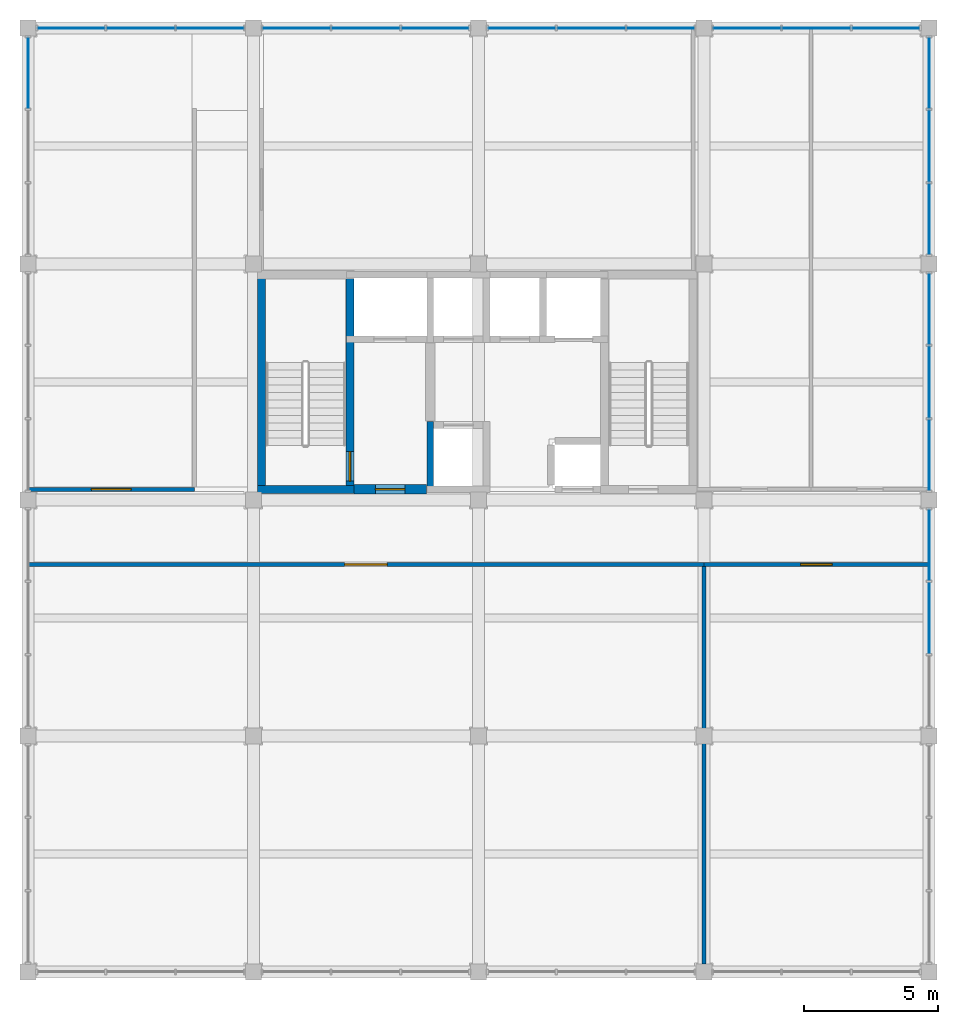
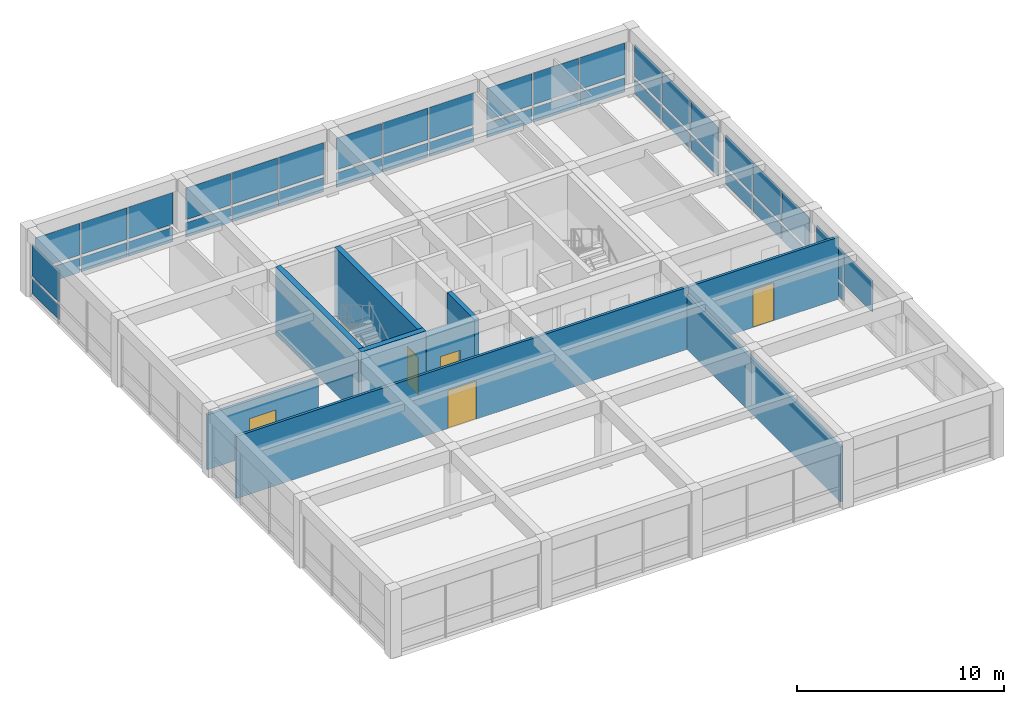
# One storey, part 9 of 14: 41 plates, 9 walls, 5 doors, 5 openings, 8 elements without a shape of their own.
"""IFC4 building model written with IfcOpenShell, lengths in metres."""

from ifc_helpers import new_model, si_unit, direction, frame, frame_2d, origin, origin_2d, place, context, subcontext, project, spatial, rectangle, extrude, material, layer, layer_set, type_object, element, fill, aggregate, save


model = new_model("IFC4")

# Units and contexts
model_context = context("Model", 3, precision=1e-05, world=origin(), true_north=direction((0.0, 1.0)))
body_context = subcontext(model_context, "Body", "Model", "MODEL_VIEW")
ifc_project = project(units=[si_unit("LENGTHUNIT", "METRE"), si_unit("AREAUNIT", "SQUARE_METRE"), si_unit("VOLUMEUNIT", "CUBIC_METRE"), si_unit("PLANEANGLEUNIT", "RADIAN"), si_unit("MASSUNIT", "GRAM", prefix="KILO")], contexts=[model_context])

# Site, building, storey
site_placement = place(None, origin())
site = spatial("IfcSite", under=ifc_project, at=site_placement, CompositionType="ELEMENT")
building_placement = place(site_placement, origin())
building = spatial("IfcBuilding", under=site, at=building_placement, Name="Kemercrest Conservatory and Botanical Centre", CompositionType="ELEMENT")
storey_placement = place(building_placement, frame((0.0, 0.0, 59.800048828125)))
storey = spatial("IfcBuildingStorey", under=building, at=storey_placement, Name="L15", CompositionType="ELEMENT", Elevation=59.800048828125)

# Curtain wall, plates
ifc_material_1 = material(Name="Thermally broken aluminium and triple low-e glazing", Category="aluminium")
curtain_wall_type_1 = type_object("IfcCurtainWallType", Name="CW-01", PredefinedType="USERDEFINED", material=ifc_material_1)
curtain_wall_1_placement = place(storey_placement, origin())
curtain_wall_1 = element("IfcCurtainWall", 1, at=curtain_wall_1_placement, inside=storey, type_object=curtain_wall_type_1, Name="Unitised curtain wall CW-01 (CW:L15:V4-150)", ObjectType="UNITISED CURTAIN WALL", PredefinedType="USERDEFINED")
ifc_material_2 = material(Name="Triple low-e argon insulated glazing unit", Category="glass")
ifc_layer_1 = layer(ifc_material_2, 0.035888671875)
ifc_layer_set_1 = layer_set([ifc_layer_1], Name="Triple low-e argon insulated glazing unit")
plate_type = type_object("IfcPlateType", Name="CW-PNL036", PredefinedType="CURTAIN_PANEL", material=ifc_layer_set_1)
plate_1_placement = place(storey_placement, frame((176.0, 100.39990234375, 1.2099609375), z_axis=(0.0, 0.0, 1.0), x_axis=(0.0, 1.0, 0.0)))
plate_1 = element("IfcPlate", 2, at=plate_1_placement, type_object=plate_type, Name="CW-01 panel 2.2", PredefinedType="CURTAIN_PANEL", context=body_context, shape_type="SweptSolid", body=[
    extrude(rectangle(XDim=2.671630859375, YDim=0.035888671875, at=origin_2d()), origin(), (0.0, 0.0, 1.0), 1.864990234375),
])
plate_2_placement = place(storey_placement, frame((176.0, 103.120361328125, 0.179931640625), z_axis=(0.0, 0.0, 1.0), x_axis=(0.0, 1.0, 0.0)))
plate_2 = element("IfcPlate", 3, at=plate_2_placement, type_object=plate_type, Name="CW-01 panel 3.1", PredefinedType="CURTAIN_PANEL", context=body_context, shape_type="SweptSolid", body=[
    extrude(rectangle(XDim=2.63916015625, YDim=0.035888671875, at=origin_2d()), origin(), (0.0, 0.0, 1.0), 0.85009765625),
])
plate_3_placement = place(storey_placement, frame((176.0, 103.120361328125, 1.2099609375), z_axis=(0.0, 0.0, 1.0), x_axis=(0.0, 1.0, 0.0)))
plate_3 = element("IfcPlate", 4, at=plate_3_placement, type_object=plate_type, Name="CW-01 panel 3.2", PredefinedType="CURTAIN_PANEL", context=body_context, shape_type="SweptSolid", body=[
    extrude(rectangle(XDim=2.63916015625, YDim=0.035888671875, at=origin_2d()), origin(), (0.0, 0.0, 1.0), 1.864990234375),
])
aggregate(curtain_wall_1, [plate_1, plate_2, plate_3])

curtain_wall_type_2 = type_object("IfcCurtainWallType", Name="CW-02", PredefinedType="USERDEFINED", material=ifc_material_1)
curtain_wall_2_placement = place(storey_placement, origin())
curtain_wall_2 = element("IfcCurtainWall", 5, at=curtain_wall_2_placement, inside=storey, type_object=curtain_wall_type_2, Name="Unitised curtain wall CW-02 (CW:L15:V4-151)", ObjectType="UNITISED CURTAIN WALL", PredefinedType="USERDEFINED")
plate_4_placement = place(storey_placement, frame((176.0, 106.4794921875, 0.179931640625), z_axis=(0.0, 0.0, 1.0), x_axis=(0.0, 1.0, 0.0)))
plate_4 = element("IfcPlate", 6, at=plate_4_placement, type_object=plate_type, Name="CW-02 panel 1.1", PredefinedType="CURTAIN_PANEL", context=body_context, shape_type="SweptSolid", body=[
    extrude(rectangle(XDim=2.63916015625, YDim=0.035888671875, at=origin_2d()), origin(), (0.0, 0.0, 1.0), 0.85009765625),
])
plate_5_placement = place(storey_placement, frame((176.0, 106.4794921875, 1.2099609375), z_axis=(0.0, 0.0, 1.0), x_axis=(0.0, 1.0, 0.0)))
plate_5 = element("IfcPlate", 7, at=plate_5_placement, type_object=plate_type, Name="CW-02 panel 1.2", PredefinedType="CURTAIN_PANEL", context=body_context, shape_type="SweptSolid", body=[
    extrude(rectangle(XDim=2.63916015625, YDim=0.035888671875, at=origin_2d()), origin(), (0.0, 0.0, 1.0), 1.864990234375),
])
plate_6_placement = place(storey_placement, frame((176.0, 109.199951171875, 0.179931640625), z_axis=(0.0, 0.0, 1.0), x_axis=(0.0, 1.0, 0.0)))
plate_6 = element("IfcPlate", 8, at=plate_6_placement, type_object=plate_type, Name="CW-02 panel 2.1", PredefinedType="CURTAIN_PANEL", context=body_context, shape_type="SweptSolid", body=[
    extrude(rectangle(XDim=2.671630859375, YDim=0.035888671875, at=origin_2d()), origin(), (0.0, 0.0, 1.0), 0.85009765625),
])
plate_7_placement = place(storey_placement, frame((176.0, 109.199951171875, 1.2099609375), z_axis=(0.0, 0.0, 1.0), x_axis=(0.0, 1.0, 0.0)))
plate_7 = element("IfcPlate", 9, at=plate_7_placement, type_object=plate_type, Name="CW-02 panel 2.2", PredefinedType="CURTAIN_PANEL", context=body_context, shape_type="SweptSolid", body=[
    extrude(rectangle(XDim=2.671630859375, YDim=0.035888671875, at=origin_2d()), origin(), (0.0, 0.0, 1.0), 1.864990234375),
])
plate_8_placement = place(storey_placement, frame((176.0, 111.92041015625, 0.179931640625), z_axis=(0.0, 0.0, 1.0), x_axis=(0.0, 1.0, 0.0)))
plate_8 = element("IfcPlate", 10, at=plate_8_placement, type_object=plate_type, Name="CW-02 panel 3.1", PredefinedType="CURTAIN_PANEL", context=body_context, shape_type="SweptSolid", body=[
    extrude(rectangle(XDim=2.63916015625, YDim=0.035888671875, at=origin_2d()), origin(), (0.0, 0.0, 1.0), 0.85009765625),
])
plate_9_placement = place(storey_placement, frame((176.0, 111.92041015625, 1.2099609375), z_axis=(0.0, 0.0, 1.0), x_axis=(0.0, 1.0, 0.0)))
plate_9 = element("IfcPlate", 11, at=plate_9_placement, type_object=plate_type, Name="CW-02 panel 3.2", PredefinedType="CURTAIN_PANEL", context=body_context, shape_type="SweptSolid", body=[
    extrude(rectangle(XDim=2.63916015625, YDim=0.035888671875, at=origin_2d()), origin(), (0.0, 0.0, 1.0), 1.864990234375),
])
aggregate(curtain_wall_2, [plate_4, plate_5, plate_6, plate_7, plate_8, plate_9])

curtain_wall_type_3 = type_object("IfcCurtainWallType", Name="CW-03", PredefinedType="USERDEFINED", material=ifc_material_1)
curtain_wall_3_placement = place(storey_placement, origin())
curtain_wall_3 = element("IfcCurtainWall", 12, at=curtain_wall_3_placement, inside=storey, type_object=curtain_wall_type_3, Name="Unitised curtain wall CW-03 (CW:L15:V4-152)", ObjectType="UNITISED CURTAIN WALL", PredefinedType="USERDEFINED")
plate_10_placement = place(storey_placement, frame((176.0, 115.279541015625, 0.179931640625), z_axis=(0.0, 0.0, 1.0), x_axis=(0.0, 1.0, 0.0)))
plate_10 = element("IfcPlate", 13, at=plate_10_placement, type_object=plate_type, Name="CW-03 panel 1.1", PredefinedType="CURTAIN_PANEL", context=body_context, shape_type="SweptSolid", body=[
    extrude(rectangle(XDim=2.63916015625, YDim=0.035888671875, at=origin_2d()), origin(), (0.0, 0.0, 1.0), 0.85009765625),
])
plate_11_placement = place(storey_placement, frame((176.0, 115.279541015625, 1.2099609375), z_axis=(0.0, 0.0, 1.0), x_axis=(0.0, 1.0, 0.0)))
plate_11 = element("IfcPlate", 14, at=plate_11_placement, type_object=plate_type, Name="CW-03 panel 1.2", PredefinedType="CURTAIN_PANEL", context=body_context, shape_type="SweptSolid", body=[
    extrude(rectangle(XDim=2.63916015625, YDim=0.035888671875, at=origin_2d()), origin(), (0.0, 0.0, 1.0), 1.864990234375),
])
plate_12_placement = place(storey_placement, frame((176.0, 118.0, 0.179931640625), z_axis=(0.0, 0.0, 1.0), x_axis=(0.0, 1.0, 0.0)))
plate_12 = element("IfcPlate", 15, at=plate_12_placement, type_object=plate_type, Name="CW-03 panel 2.1", PredefinedType="CURTAIN_PANEL", context=body_context, shape_type="SweptSolid", body=[
    extrude(rectangle(XDim=2.671630859375, YDim=0.035888671875, at=origin_2d()), origin(), (0.0, 0.0, 1.0), 0.85009765625),
])
plate_13_placement = place(storey_placement, frame((176.0, 118.0, 1.2099609375), z_axis=(0.0, 0.0, 1.0), x_axis=(0.0, 1.0, 0.0)))
plate_13 = element("IfcPlate", 16, at=plate_13_placement, type_object=plate_type, Name="CW-03 panel 2.2", PredefinedType="CURTAIN_PANEL", context=body_context, shape_type="SweptSolid", body=[
    extrude(rectangle(XDim=2.671630859375, YDim=0.035888671875, at=origin_2d()), origin(), (0.0, 0.0, 1.0), 1.864990234375),
])
plate_14_placement = place(storey_placement, frame((176.0, 120.720458984375, 0.179931640625), z_axis=(0.0, 0.0, 1.0), x_axis=(0.0, 1.0, 0.0)))
plate_14 = element("IfcPlate", 17, at=plate_14_placement, type_object=plate_type, Name="CW-03 panel 3.1", PredefinedType="CURTAIN_PANEL", context=body_context, shape_type="SweptSolid", body=[
    extrude(rectangle(XDim=2.63916015625, YDim=0.035888671875, at=origin_2d()), origin(), (0.0, 0.0, 1.0), 0.85009765625),
])
plate_15_placement = place(storey_placement, frame((176.0, 120.720458984375, 1.2099609375), z_axis=(0.0, 0.0, 1.0), x_axis=(0.0, 1.0, 0.0)))
plate_15 = element("IfcPlate", 18, at=plate_15_placement, type_object=plate_type, Name="CW-03 panel 3.2", PredefinedType="CURTAIN_PANEL", context=body_context, shape_type="SweptSolid", body=[
    extrude(rectangle(XDim=2.63916015625, YDim=0.035888671875, at=origin_2d()), origin(), (0.0, 0.0, 1.0), 1.864990234375),
])
aggregate(curtain_wall_3, [plate_10, plate_11, plate_12, plate_13, plate_14, plate_15])

curtain_wall_type_4 = type_object("IfcCurtainWallType", Name="CW-04", PredefinedType="USERDEFINED", material=ifc_material_1)
curtain_wall_4_placement = place(storey_placement, origin())
curtain_wall_4 = element("IfcCurtainWall", 19, at=curtain_wall_4_placement, inside=storey, type_object=curtain_wall_type_4, Name="Unitised curtain wall CW-04 (CW:L15:V4-153)", ObjectType="UNITISED CURTAIN WALL", PredefinedType="USERDEFINED")
plate_16_placement = place(storey_placement, frame((174.386962890625, 122.39990234375, 0.179931640625), z_axis=(0.0, 0.0, 1.0), x_axis=(-1.0, 0.0, 0.0)))
plate_16 = element("IfcPlate", 20, at=plate_16_placement, type_object=plate_type, Name="CW-04 panel 1.1", PredefinedType="CURTAIN_PANEL", context=body_context, shape_type="SweptSolid", body=[
    extrude(rectangle(XDim=2.505859375, YDim=0.035888671875, at=origin_2d()), origin(), (0.0, 0.0, 1.0), 0.85009765625),
])
plate_17_placement = place(storey_placement, frame((174.386962890625, 122.39990234375, 1.2099609375), z_axis=(0.0, 0.0, 1.0), x_axis=(-1.0, 0.0, 0.0)))
plate_17 = element("IfcPlate", 21, at=plate_17_placement, type_object=plate_type, Name="CW-04 panel 1.2", PredefinedType="CURTAIN_PANEL", context=body_context, shape_type="SweptSolid", body=[
    extrude(rectangle(XDim=2.505859375, YDim=0.035888671875, at=origin_2d()), origin(), (0.0, 0.0, 1.0), 1.864990234375),
])
plate_18_placement = place(storey_placement, frame((171.800048828125, 122.39990234375, 0.179931640625), z_axis=(0.0, 0.0, 1.0), x_axis=(-1.0, 0.0, 0.0)))
plate_18 = element("IfcPlate", 22, at=plate_18_placement, type_object=plate_type, Name="CW-04 panel 2.1", PredefinedType="CURTAIN_PANEL", context=body_context, shape_type="SweptSolid", body=[
    extrude(rectangle(XDim=2.538330078125, YDim=0.035888671875, at=origin_2d()), origin(), (0.0, 0.0, 1.0), 0.85009765625),
])
plate_19_placement = place(storey_placement, frame((171.800048828125, 122.39990234375, 1.2099609375), z_axis=(0.0, 0.0, 1.0), x_axis=(-1.0, 0.0, 0.0)))
plate_19 = element("IfcPlate", 23, at=plate_19_placement, type_object=plate_type, Name="CW-04 panel 2.2", PredefinedType="CURTAIN_PANEL", context=body_context, shape_type="SweptSolid", body=[
    extrude(rectangle(XDim=2.538330078125, YDim=0.035888671875, at=origin_2d()), origin(), (0.0, 0.0, 1.0), 1.864990234375),
])
plate_20_placement = place(storey_placement, frame((169.212890625, 122.39990234375, 0.179931640625), z_axis=(0.0, 0.0, 1.0), x_axis=(-1.0, 0.0, 0.0)))
plate_20 = element("IfcPlate", 24, at=plate_20_placement, type_object=plate_type, Name="CW-04 panel 3.1", PredefinedType="CURTAIN_PANEL", context=body_context, shape_type="SweptSolid", body=[
    extrude(rectangle(XDim=2.505859375, YDim=0.035888671875, at=origin_2d()), origin(), (0.0, 0.0, 1.0), 0.85009765625),
])
plate_21_placement = place(storey_placement, frame((169.212890625, 122.39990234375, 1.2099609375), z_axis=(0.0, 0.0, 1.0), x_axis=(-1.0, 0.0, 0.0)))
plate_21 = element("IfcPlate", 25, at=plate_21_placement, type_object=plate_type, Name="CW-04 panel 3.2", PredefinedType="CURTAIN_PANEL", context=body_context, shape_type="SweptSolid", body=[
    extrude(rectangle(XDim=2.505859375, YDim=0.035888671875, at=origin_2d()), origin(), (0.0, 0.0, 1.0), 1.864990234375),
])
aggregate(curtain_wall_4, [plate_16, plate_17, plate_18, plate_19, plate_20, plate_21])

curtain_wall_type_5 = type_object("IfcCurtainWallType", Name="CW-05", PredefinedType="USERDEFINED", material=ifc_material_1)
curtain_wall_5_placement = place(storey_placement, origin())
curtain_wall_5 = element("IfcCurtainWall", 26, at=curtain_wall_5_placement, inside=storey, type_object=curtain_wall_type_5, Name="Unitised curtain wall CW-05 (CW:L15:V4-154)", ObjectType="UNITISED CURTAIN WALL", PredefinedType="USERDEFINED")
plate_22_placement = place(storey_placement, frame((165.987060546875, 122.39990234375, 0.179931640625), z_axis=(0.0, 0.0, 1.0), x_axis=(-1.0, 0.0, 0.0)))
plate_22 = element("IfcPlate", 27, at=plate_22_placement, type_object=plate_type, Name="CW-05 panel 1.1", PredefinedType="CURTAIN_PANEL", context=body_context, shape_type="SweptSolid", body=[
    extrude(rectangle(XDim=2.505859375, YDim=0.035888671875, at=origin_2d()), origin(), (0.0, 0.0, 1.0), 0.85009765625),
])
plate_23_placement = place(storey_placement, frame((165.987060546875, 122.39990234375, 1.2099609375), z_axis=(0.0, 0.0, 1.0), x_axis=(-1.0, 0.0, 0.0)))
plate_23 = element("IfcPlate", 28, at=plate_23_placement, type_object=plate_type, Name="CW-05 panel 1.2", PredefinedType="CURTAIN_PANEL", context=body_context, shape_type="SweptSolid", body=[
    extrude(rectangle(XDim=2.505859375, YDim=0.035888671875, at=origin_2d()), origin(), (0.0, 0.0, 1.0), 1.864990234375),
])
plate_24_placement = place(storey_placement, frame((163.39990234375, 122.39990234375, 0.179931640625), z_axis=(0.0, 0.0, 1.0), x_axis=(-1.0, 0.0, 0.0)))
plate_24 = element("IfcPlate", 29, at=plate_24_placement, type_object=plate_type, Name="CW-05 panel 2.1", PredefinedType="CURTAIN_PANEL", context=body_context, shape_type="SweptSolid", body=[
    extrude(rectangle(XDim=2.538330078125, YDim=0.035888671875, at=origin_2d()), origin(), (0.0, 0.0, 1.0), 0.85009765625),
])
plate_25_placement = place(storey_placement, frame((163.39990234375, 122.39990234375, 1.2099609375), z_axis=(0.0, 0.0, 1.0), x_axis=(-1.0, 0.0, 0.0)))
plate_25 = element("IfcPlate", 30, at=plate_25_placement, type_object=plate_type, Name="CW-05 panel 2.2", PredefinedType="CURTAIN_PANEL", context=body_context, shape_type="SweptSolid", body=[
    extrude(rectangle(XDim=2.538330078125, YDim=0.035888671875, at=origin_2d()), origin(), (0.0, 0.0, 1.0), 1.864990234375),
])
plate_26_placement = place(storey_placement, frame((160.81298828125, 122.39990234375, 0.179931640625), z_axis=(0.0, 0.0, 1.0), x_axis=(-1.0, 0.0, 0.0)))
plate_26 = element("IfcPlate", 31, at=plate_26_placement, type_object=plate_type, Name="CW-05 panel 3.1", PredefinedType="CURTAIN_PANEL", context=body_context, shape_type="SweptSolid", body=[
    extrude(rectangle(XDim=2.505859375, YDim=0.035888671875, at=origin_2d()), origin(), (0.0, 0.0, 1.0), 0.85009765625),
])
plate_27_placement = place(storey_placement, frame((160.81298828125, 122.39990234375, 1.2099609375), z_axis=(0.0, 0.0, 1.0), x_axis=(-1.0, 0.0, 0.0)))
plate_27 = element("IfcPlate", 32, at=plate_27_placement, type_object=plate_type, Name="CW-05 panel 3.2", PredefinedType="CURTAIN_PANEL", context=body_context, shape_type="SweptSolid", body=[
    extrude(rectangle(XDim=2.505859375, YDim=0.035888671875, at=origin_2d()), origin(), (0.0, 0.0, 1.0), 1.864990234375),
])
aggregate(curtain_wall_5, [plate_22, plate_23, plate_24, plate_25, plate_26, plate_27])

curtain_wall_type_6 = type_object("IfcCurtainWallType", Name="CW-06", PredefinedType="USERDEFINED", material=ifc_material_1)
curtain_wall_6_placement = place(storey_placement, origin())
curtain_wall_6 = element("IfcCurtainWall", 33, at=curtain_wall_6_placement, inside=storey, type_object=curtain_wall_type_6, Name="Unitised curtain wall CW-06 (CW:L15:V4-155)", ObjectType="UNITISED CURTAIN WALL", PredefinedType="USERDEFINED")
plate_28_placement = place(storey_placement, frame((157.587158203125, 122.39990234375, 0.179931640625), z_axis=(0.0, 0.0, 1.0), x_axis=(-1.0, 0.0, 0.0)))
plate_28 = element("IfcPlate", 34, at=plate_28_placement, type_object=plate_type, Name="CW-06 panel 1.1", PredefinedType="CURTAIN_PANEL", context=body_context, shape_type="SweptSolid", body=[
    extrude(rectangle(XDim=2.505859375, YDim=0.035888671875, at=origin_2d()), origin(), (0.0, 0.0, 1.0), 0.85009765625),
])
plate_29_placement = place(storey_placement, frame((157.587158203125, 122.39990234375, 1.2099609375), z_axis=(0.0, 0.0, 1.0), x_axis=(-1.0, 0.0, 0.0)))
plate_29 = element("IfcPlate", 35, at=plate_29_placement, type_object=plate_type, Name="CW-06 panel 1.2", PredefinedType="CURTAIN_PANEL", context=body_context, shape_type="SweptSolid", body=[
    extrude(rectangle(XDim=2.505859375, YDim=0.035888671875, at=origin_2d()), origin(), (0.0, 0.0, 1.0), 1.864990234375),
])
plate_30_placement = place(storey_placement, frame((155.0, 122.39990234375, 0.179931640625), z_axis=(0.0, 0.0, 1.0), x_axis=(-1.0, 0.0, 0.0)))
plate_30 = element("IfcPlate", 36, at=plate_30_placement, type_object=plate_type, Name="CW-06 panel 2.1", PredefinedType="CURTAIN_PANEL", context=body_context, shape_type="SweptSolid", body=[
    extrude(rectangle(XDim=2.538330078125, YDim=0.035888671875, at=origin_2d()), origin(), (0.0, 0.0, 1.0), 0.85009765625),
])
plate_31_placement = place(storey_placement, frame((155.0, 122.39990234375, 1.2099609375), z_axis=(0.0, 0.0, 1.0), x_axis=(-1.0, 0.0, 0.0)))
plate_31 = element("IfcPlate", 37, at=plate_31_placement, type_object=plate_type, Name="CW-06 panel 2.2", PredefinedType="CURTAIN_PANEL", context=body_context, shape_type="SweptSolid", body=[
    extrude(rectangle(XDim=2.538330078125, YDim=0.035888671875, at=origin_2d()), origin(), (0.0, 0.0, 1.0), 1.864990234375),
])
plate_32_placement = place(storey_placement, frame((152.412841796875, 122.39990234375, 0.179931640625), z_axis=(0.0, 0.0, 1.0), x_axis=(-1.0, 0.0, 0.0)))
plate_32 = element("IfcPlate", 38, at=plate_32_placement, type_object=plate_type, Name="CW-06 panel 3.1", PredefinedType="CURTAIN_PANEL", context=body_context, shape_type="SweptSolid", body=[
    extrude(rectangle(XDim=2.505859375, YDim=0.035888671875, at=origin_2d()), origin(), (0.0, 0.0, 1.0), 0.85009765625),
])
plate_33_placement = place(storey_placement, frame((152.412841796875, 122.39990234375, 1.2099609375), z_axis=(0.0, 0.0, 1.0), x_axis=(-1.0, 0.0, 0.0)))
plate_33 = element("IfcPlate", 39, at=plate_33_placement, type_object=plate_type, Name="CW-06 panel 3.2", PredefinedType="CURTAIN_PANEL", context=body_context, shape_type="SweptSolid", body=[
    extrude(rectangle(XDim=2.505859375, YDim=0.035888671875, at=origin_2d()), origin(), (0.0, 0.0, 1.0), 1.864990234375),
])
aggregate(curtain_wall_6, [plate_28, plate_29, plate_30, plate_31, plate_32, plate_33])

curtain_wall_type_7 = type_object("IfcCurtainWallType", Name="CW-07", PredefinedType="USERDEFINED", material=ifc_material_1)
curtain_wall_7_placement = place(storey_placement, origin())
curtain_wall_7 = element("IfcCurtainWall", 40, at=curtain_wall_7_placement, inside=storey, type_object=curtain_wall_type_7, Name="Unitised curtain wall CW-07 (CW:L15:V4-156)", ObjectType="UNITISED CURTAIN WALL", PredefinedType="USERDEFINED")
plate_34_placement = place(storey_placement, frame((149.18701171875, 122.39990234375, 0.179931640625), z_axis=(0.0, 0.0, 1.0), x_axis=(-1.0, 0.0, 0.0)))
plate_34 = element("IfcPlate", 41, at=plate_34_placement, type_object=plate_type, Name="CW-07 panel 1.1", PredefinedType="CURTAIN_PANEL", context=body_context, shape_type="SweptSolid", body=[
    extrude(rectangle(XDim=2.505859375, YDim=0.035888671875, at=origin_2d()), origin(), (0.0, 0.0, 1.0), 0.85009765625),
])
plate_35_placement = place(storey_placement, frame((149.18701171875, 122.39990234375, 1.2099609375), z_axis=(0.0, 0.0, 1.0), x_axis=(-1.0, 0.0, 0.0)))
plate_35 = element("IfcPlate", 42, at=plate_35_placement, type_object=plate_type, Name="CW-07 panel 1.2", PredefinedType="CURTAIN_PANEL", context=body_context, shape_type="SweptSolid", body=[
    extrude(rectangle(XDim=2.505859375, YDim=0.035888671875, at=origin_2d()), origin(), (0.0, 0.0, 1.0), 1.864990234375),
])
plate_36_placement = place(storey_placement, frame((146.60009765625, 122.39990234375, 0.179931640625), z_axis=(0.0, 0.0, 1.0), x_axis=(-1.0, 0.0, 0.0)))
plate_36 = element("IfcPlate", 43, at=plate_36_placement, type_object=plate_type, Name="CW-07 panel 2.1", PredefinedType="CURTAIN_PANEL", context=body_context, shape_type="SweptSolid", body=[
    extrude(rectangle(XDim=2.538330078125, YDim=0.035888671875, at=origin_2d()), origin(), (0.0, 0.0, 1.0), 0.85009765625),
])
plate_37_placement = place(storey_placement, frame((146.60009765625, 122.39990234375, 1.2099609375), z_axis=(0.0, 0.0, 1.0), x_axis=(-1.0, 0.0, 0.0)))
plate_37 = element("IfcPlate", 44, at=plate_37_placement, type_object=plate_type, Name="CW-07 panel 2.2", PredefinedType="CURTAIN_PANEL", context=body_context, shape_type="SweptSolid", body=[
    extrude(rectangle(XDim=2.538330078125, YDim=0.035888671875, at=origin_2d()), origin(), (0.0, 0.0, 1.0), 1.864990234375),
])
plate_38_placement = place(storey_placement, frame((144.012939453125, 122.39990234375, 0.179931640625), z_axis=(0.0, 0.0, 1.0), x_axis=(-1.0, 0.0, 0.0)))
plate_38 = element("IfcPlate", 45, at=plate_38_placement, type_object=plate_type, Name="CW-07 panel 3.1", PredefinedType="CURTAIN_PANEL", context=body_context, shape_type="SweptSolid", body=[
    extrude(rectangle(XDim=2.505859375, YDim=0.035888671875, at=origin_2d()), origin(), (0.0, 0.0, 1.0), 0.85009765625),
])
plate_39_placement = place(storey_placement, frame((144.012939453125, 122.39990234375, 1.2099609375), z_axis=(0.0, 0.0, 1.0), x_axis=(-1.0, 0.0, 0.0)))
plate_39 = element("IfcPlate", 46, at=plate_39_placement, type_object=plate_type, Name="CW-07 panel 3.2", PredefinedType="CURTAIN_PANEL", context=body_context, shape_type="SweptSolid", body=[
    extrude(rectangle(XDim=2.505859375, YDim=0.035888671875, at=origin_2d()), origin(), (0.0, 0.0, 1.0), 1.864990234375),
])
aggregate(curtain_wall_7, [plate_34, plate_35, plate_36, plate_37, plate_38, plate_39])

curtain_wall_type_8 = type_object("IfcCurtainWallType", Name="CW-08", PredefinedType="USERDEFINED", material=ifc_material_1)
curtain_wall_8_placement = place(storey_placement, origin())
curtain_wall_8 = element("IfcCurtainWall", 47, at=curtain_wall_8_placement, inside=storey, type_object=curtain_wall_type_8, Name="Unitised curtain wall CW-08 (CW:L15:V4-157)", ObjectType="UNITISED CURTAIN WALL", PredefinedType="USERDEFINED")
plate_40_placement = place(storey_placement, frame((142.39990234375, 120.720458984375, 0.179931640625), z_axis=(0.0, 0.0, 1.0), x_axis=(0.0, -1.0, 0.0)))
plate_40 = element("IfcPlate", 48, at=plate_40_placement, type_object=plate_type, Name="CW-08 panel 1.1", PredefinedType="CURTAIN_PANEL", context=body_context, shape_type="SweptSolid", body=[
    extrude(rectangle(XDim=2.63916015625, YDim=0.035888671875, at=origin_2d()), origin(), (0.0, 0.0, 1.0), 0.85009765625),
])
plate_41_placement = place(storey_placement, frame((142.39990234375, 120.720458984375, 1.2099609375), z_axis=(0.0, 0.0, 1.0), x_axis=(0.0, -1.0, 0.0)))
plate_41 = element("IfcPlate", 49, at=plate_41_placement, type_object=plate_type, Name="CW-08 panel 1.2", PredefinedType="CURTAIN_PANEL", context=body_context, shape_type="SweptSolid", body=[
    extrude(rectangle(XDim=2.63916015625, YDim=0.035888671875, at=origin_2d()), origin(), (0.0, 0.0, 1.0), 1.864990234375),
])
aggregate(curtain_wall_8, [plate_40, plate_41])

# Wall, opening, door
ifc_material_3 = material(Name="Concrete C50/60", Category="concrete")
ifc_layer_2 = layer(ifc_material_3, 0.35009765625)
ifc_layer_set_2 = layer_set([ifc_layer_2], Name="Concrete C50/60")
wall_type_1 = type_object("IfcWallType", Name="CW-CORE", PredefinedType="SHEAR", material=ifc_layer_set_2)
wall_1_placement = place(storey_placement, frame((154.550048828125, 105.199951171875, 0.0), z_axis=(0.0, 0.0, 1.0), x_axis=(1.0, 0.0, 0.0)))
wall_1 = element("IfcWall", 50, at=wall_1_placement, inside=storey, type_object=wall_type_1, Name="Firefighting lift lobby south shear wall", PredefinedType="SHEAR", context=body_context, shape_type="SweptSolid", body=[
    extrude(rectangle(XDim=2.699951171875, YDim=0.35009765625, at=frame_2d((1.35009765625, 0.0))), origin(), (0.0, 0.0, 1.0), 3.679931640625),
])
opening_1_placement = place(wall_1_placement, frame((0.800048828125, 0.0, 0.0)))
opening_1 = element("IfcOpeningElement", 51, at=opening_1_placement, cuts=wall_1, Name="Opening D101", PredefinedType="OPENING", context=body_context, shape_type="SweptSolid", body=[
    extrude(rectangle(XDim=1.10009765625, YDim=2.199951171875, at=frame_2d((0.550048828125, 1.10009765625))), frame((0.0, 0.18505859375, 0.0), z_axis=(0.0, -1.0, 0.0), x_axis=(1.0, 0.0, 0.0)), (0.0, 0.0, 1.0), 0.3701171875),
])
ifc_material_4 = material(Name="Powder-coated galvanized steel and fire-rated vision glass", Category="steel")
door_type_1 = type_object("IfcDoorType", Name="DT-FD90", OperationType="NOTDEFINED", PredefinedType="DOOR", material=ifc_material_4)
door_1_placement = place(opening_1_placement, origin())
door_1 = element("IfcDoor", 52, at=door_1_placement, inside=storey, type_object=door_type_1, Name="Firefighting lift lobby corridor fire door D101", OperationType="SINGLE_SWING_LEFT", OverallHeight=2.199951171875, OverallWidth=1.10009765625, PredefinedType="DOOR", context=body_context, shape_type="SweptSolid", body=[
    extrude(rectangle(XDim=1.10009765625, YDim=2.199951171875, at=frame_2d((0.550048828125, 1.10009765625))), frame((0.0, 0.02490234375, 0.0), z_axis=(0.0, -1.0, 0.0), x_axis=(1.0, 0.0, 0.0)), (0.0, 0.0, 1.0), 0.050048828125),
])
fill(opening_1, door_1)

# Walls
ifc_layer_3 = layer(ifc_material_3, 0.300048828125)
ifc_layer_set_3 = layer_set([ifc_layer_3], Name="Concrete C50/60")
wall_type_2 = type_object("IfcWallType", Name="CW-STAIR", PredefinedType="SHEAR", material=ifc_layer_set_3)
wall_2_placement = place(storey_placement, frame((150.949951171875, 105.199951171875, 0.0), z_axis=(0.0, 0.0, 1.0), x_axis=(1.0, 0.0, 0.0)))
element("IfcWall", 53, at=wall_2_placement, inside=storey, type_object=wall_type_2, Name="Stair core ST-V4A shear wall S", PredefinedType="SHEAR", context=body_context, shape_type="SweptSolid", body=[
    extrude(rectangle(XDim=3.60009765625, YDim=0.300048828125, at=frame_2d((1.800048828125, 0.0))), origin(), (0.0, 0.0, 1.0), 4.0),
])
wall_3_placement = place(storey_placement, frame((151.10009765625, 105.050048828125, 0.0), z_axis=(0.0, 0.0, 1.0), x_axis=(0.0, 1.0, 0.0)))
element("IfcWall", 54, at=wall_3_placement, inside=storey, type_object=wall_type_2, Name="Stair core ST-V4A shear wall W", PredefinedType="SHEAR", context=body_context, shape_type="SweptSolid", body=[
    extrude(rectangle(XDim=8.300048828125, YDim=0.300048828125, at=frame_2d((4.14990234375, 0.0))), origin(), (0.0, 0.0, 1.0), 4.0),
])

# Wall, opening, door
wall_4_placement = place(storey_placement, frame((154.39990234375, 105.050048828125, 0.0), z_axis=(0.0, 0.0, 1.0), x_axis=(0.0, 1.0, 0.0)))
wall_4 = element("IfcWall", 55, at=wall_4_placement, inside=storey, type_object=wall_type_2, Name="Stair core ST-V4A shear wall E", PredefinedType="SHEAR", context=body_context, shape_type="SweptSolid", body=[
    extrude(rectangle(XDim=8.300048828125, YDim=0.300048828125, at=frame_2d((4.14990234375, 0.0))), origin(), (0.0, 0.0, 1.0), 4.0),
])
opening_2_placement = place(wall_4_placement, frame((0.449951171875, 0.0, 0.0)))
opening_2 = element("IfcOpeningElement", 56, at=opening_2_placement, cuts=wall_4, Name="Opening D041", PredefinedType="OPENING", context=body_context, shape_type="SweptSolid", body=[
    extrude(rectangle(XDim=1.10009765625, YDim=2.199951171875, at=frame_2d((0.550048828125, 1.10009765625))), frame((0.0, 0.16015625, 0.0), z_axis=(0.0, -1.0, 0.0), x_axis=(1.0, 0.0, 0.0)), (0.0, 0.0, 1.0), 0.320068359375),
])
door_2_placement = place(opening_2_placement, frame((1.10009765625, 0.0, 0.0), z_axis=(0.0, 0.0, 1.0), x_axis=(-1.0, 0.0, 0.0)))
door_2 = element("IfcDoor", 57, at=door_2_placement, inside=storey, type_object=door_type_1, Name="Exit stair ST-V4A fire door D041", OperationType="SINGLE_SWING_LEFT", OverallHeight=2.199951171875, OverallWidth=1.10009765625, PredefinedType="DOOR", context=body_context, shape_type="SweptSolid", body=[
    extrude(rectangle(XDim=1.10009765625, YDim=2.199951171875, at=frame_2d((0.550048828125, 1.10009765625))), frame((0.0, 0.02490234375, 0.0), z_axis=(0.0, -1.0, 0.0), x_axis=(1.0, 0.0, 0.0)), (0.0, 0.0, 1.0), 0.050048828125),
])
fill(opening_2, door_2)

ifc_material_5 = material(Name="Steel-stud gypsum board partition", Category="steel")
ifc_layer_4 = layer(ifc_material_5, 0.14990234375)
ifc_layer_set_4 = layer_set([ifc_layer_4], Name="Steel-stud gypsum board partition")
wall_type_3 = type_object("IfcWallType", Name="W-PART150", PredefinedType="PARTITIONING", material=ifc_layer_set_4)
wall_5_placement = place(storey_placement, frame((142.39990234375, 102.39990234375, 0.0), z_axis=(0.0, 0.0, 1.0), x_axis=(1.0, 0.0, 0.0)))
wall_5 = element("IfcWall", 58, at=wall_5_placement, inside=storey, type_object=wall_type_3, Name="Interior partition W-PART150 #302", PredefinedType="PARTITIONING", context=body_context, shape_type="SweptSolid", body=[
    extrude(rectangle(XDim=25.2001953125, YDim=0.14990234375, at=frame_2d((12.60009765625, 0.0))), origin(), (0.0, 0.0, 1.0), 3.6650390625),
])
opening_3_placement = place(wall_5_placement, frame((11.81005859375, 0.0, 0.0)))
opening_3 = element("IfcOpeningElement", 59, at=opening_3_placement, cuts=wall_5, Name="Opening D277", PredefinedType="OPENING", context=body_context, shape_type="SweptSolid", body=[
    extrude(rectangle(XDim=1.580078125, YDim=2.25, at=frame_2d((0.7900390625, 1.125))), frame((0.0, 0.0849609375, 0.0), z_axis=(0.0, -1.0, 0.0), x_axis=(1.0, 0.0, 0.0)), (0.0, 0.0, 1.0), 0.169921875),
])
ifc_material_6 = material(Name="FSC solid-core white oak veneer and anodized aluminium frame", Category="aluminium")
door_type_2 = type_object("IfcDoorType", Name="DT-10", OperationType="DOUBLE_DOOR_SINGLE_SWING", PredefinedType="DOOR", material=ifc_material_6)
door_3_placement = place(opening_3_placement, origin())
door_3 = element("IfcDoor", 60, at=door_3_placement, inside=storey, type_object=door_type_2, Name="Botanical Exhibition Gallery door D277", OperationType="DOUBLE_DOOR_SINGLE_SWING", OverallHeight=2.25, OverallWidth=1.580078125, PredefinedType="DOOR", context=body_context, shape_type="SweptSolid", body=[
    extrude(rectangle(XDim=1.580078125, YDim=2.25, at=frame_2d((0.7900390625, 1.125))), frame((0.0, 0.02490234375, 0.0), z_axis=(0.0, -1.0, 0.0), x_axis=(1.0, 0.0, 0.0)), (0.0, 0.0, 1.0), 0.050048828125),
])
fill(opening_3, door_3)

wall_6_placement = place(storey_placement, frame((167.60009765625, 102.39990234375, 0.0), z_axis=(0.0, 0.0, 1.0), x_axis=(1.0, 0.0, 0.0)))
wall_6 = element("IfcWall", 61, at=wall_6_placement, inside=storey, type_object=wall_type_3, Name="Interior partition W-PART150 #303", PredefinedType="PARTITIONING", context=body_context, shape_type="SweptSolid", body=[
    extrude(rectangle(XDim=8.39990234375, YDim=0.14990234375, at=frame_2d((4.199951171875, 0.0))), origin(), (0.0, 0.0, 1.0), 3.6650390625),
])
opening_4_placement = place(wall_6_placement, frame((3.610107421875, 0.0, 0.0)))
opening_4 = element("IfcOpeningElement", 62, at=opening_4_placement, cuts=wall_6, Name="Opening D278", PredefinedType="OPENING", context=body_context, shape_type="SweptSolid", body=[
    extrude(rectangle(XDim=1.179931640625, YDim=2.239990234375, at=frame_2d((0.58984375, 1.1201171875))), frame((0.0, 0.0849609375, 0.0), z_axis=(0.0, -1.0, 0.0), x_axis=(1.0, 0.0, 0.0)), (0.0, 0.0, 1.0), 0.169921875),
])
door_type_3 = type_object("IfcDoorType", Name="DT-26", OperationType="NOTDEFINED", PredefinedType="DOOR", material=ifc_material_6)
door_4_placement = place(opening_4_placement, origin())
door_4 = element("IfcDoor", 63, at=door_4_placement, inside=storey, type_object=door_type_3, Name="Public Lecture Studio door D278", OperationType="SINGLE_SWING_RIGHT", OverallHeight=2.239990234375, OverallWidth=1.179931640625, PredefinedType="DOOR", context=body_context, shape_type="SweptSolid", body=[
    extrude(rectangle(XDim=1.179931640625, YDim=2.239990234375, at=frame_2d((0.58984375, 1.1201171875))), frame((0.0, 0.02490234375, 0.0), z_axis=(0.0, -1.0, 0.0), x_axis=(1.0, 0.0, 0.0)), (0.0, 0.0, 1.0), 0.050048828125),
])
fill(opening_4, door_4)

wall_7_placement = place(storey_placement, frame((142.39990234375, 105.199951171875, 0.0), z_axis=(0.0, 0.0, 1.0), x_axis=(1.0, 0.0, 0.0)))
wall_7 = element("IfcWall", 64, at=wall_7_placement, inside=storey, type_object=wall_type_3, Name="Interior partition W-PART150 #304", PredefinedType="PARTITIONING", context=body_context, shape_type="SweptSolid", body=[
    extrude(rectangle(XDim=6.2001953125, YDim=0.14990234375, at=frame_2d((3.10009765625, 0.0))), origin(), (0.0, 0.0, 1.0), 3.244873046875),
])
opening_5_placement = place(wall_7_placement, frame((2.360107421875, 0.0, 0.0)))
opening_5 = element("IfcOpeningElement", 65, at=opening_5_placement, cuts=wall_7, Name="Opening D279", PredefinedType="OPENING", context=body_context, shape_type="SweptSolid", body=[
    extrude(rectangle(XDim=1.47998046875, YDim=2.199951171875, at=frame_2d((0.739990234375, 1.10009765625))), frame((0.0, 0.0849609375, 0.0), z_axis=(0.0, -1.0, 0.0), x_axis=(1.0, 0.0, 0.0)), (0.0, 0.0, 1.0), 0.169921875),
])
door_type_4 = type_object("IfcDoorType", Name="DT-09", OperationType="DOUBLE_DOOR_SINGLE_SWING", PredefinedType="DOOR", material=ifc_material_6)
door_5_placement = place(opening_5_placement, origin())
door_5 = element("IfcDoor", 66, at=door_5_placement, inside=storey, type_object=door_type_4, Name="Botanical Reference Library door D279", OperationType="DOUBLE_DOOR_SINGLE_SWING", OverallHeight=2.199951171875, OverallWidth=1.47998046875, PredefinedType="DOOR", context=body_context, shape_type="SweptSolid", body=[
    extrude(rectangle(XDim=1.47998046875, YDim=2.199951171875, at=frame_2d((0.739990234375, 1.10009765625))), frame((0.0, 0.02490234375, 0.0), z_axis=(0.0, -1.0, 0.0), x_axis=(1.0, 0.0, 0.0)), (0.0, 0.0, 1.0), 0.050048828125),
])
fill(opening_5, door_5)

# Walls
wall_8_placement = place(storey_placement, frame((167.60009765625, 87.5, 0.0), z_axis=(0.0, 0.0, 1.0), x_axis=(0.0, 1.0, 0.0)))
element("IfcWall", 67, at=wall_8_placement, inside=storey, type_object=wall_type_3, Name="Interior partition W-PART150 #309", PredefinedType="PARTITIONING", context=body_context, shape_type="SweptSolid", body=[
    extrude(rectangle(XDim=14.820068359375, YDim=0.14990234375, at=frame_2d((7.41015625, 0.0))), origin(), (0.0, 0.0, 1.0), 3.244873046875),
])
ifc_material_7 = material(Name="Concrete C40/50", Category="concrete")
ifc_layer_5 = layer(ifc_material_7, 0.25)
ifc_layer_set_5 = layer_set([ifc_layer_5], Name="Concrete C40/50")
wall_type_4 = type_object("IfcWallType", Name="W-SHFT250", PredefinedType="SOLIDWALL", material=ifc_layer_set_5)
wall_9_placement = place(storey_placement, frame((157.39990234375, 105.074951171875, 0.0), z_axis=(0.0, 0.0, 1.0), x_axis=(0.0, 1.0, 0.0)))
element("IfcWall", 68, at=wall_9_placement, inside=storey, type_object=wall_type_4, Name="Elevator LF-P3 shaft wall west", PredefinedType="SOLIDWALL", context=body_context, shape_type="SweptSolid", body=[
    extrude(rectangle(XDim=2.650146484375, YDim=0.25, at=frame_2d((1.3251953125, 0.0))), origin(), (0.0, 0.0, 1.0), 3.679931640625),
])

save(model, "model.ifc")
